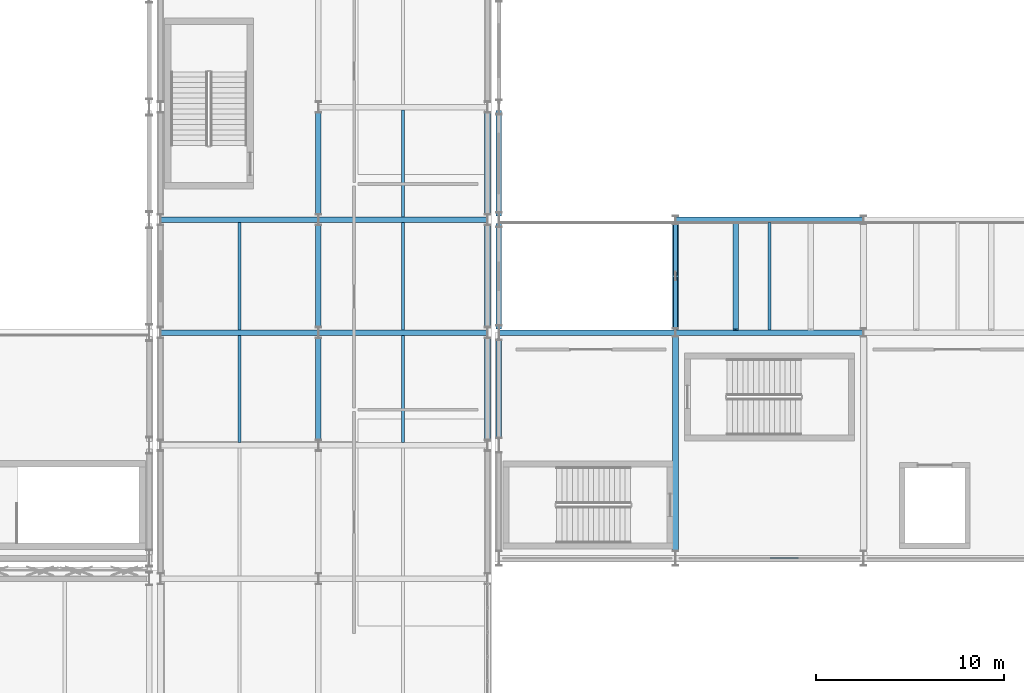
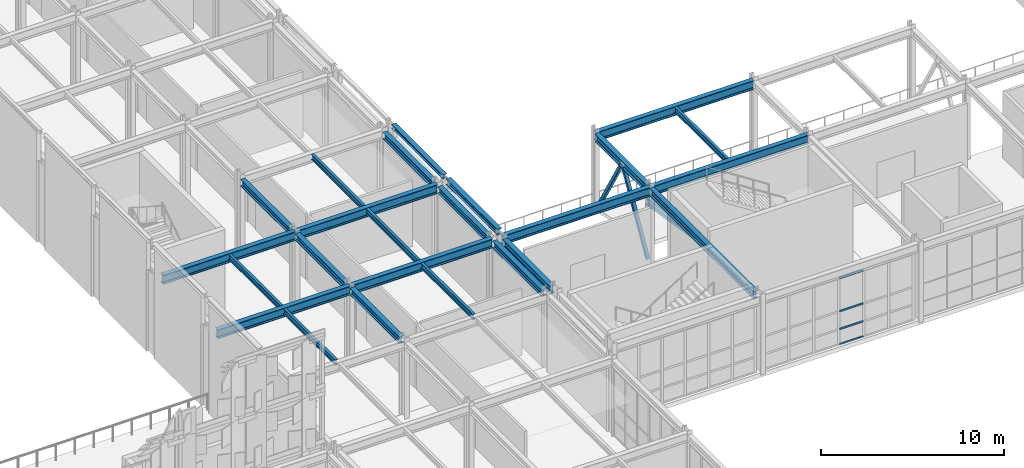
# One storey, part 111 of 210: 25 beams, 6 members, 1 element without a shape of its own.
"""IFC4 building model written with IfcOpenShell, lengths in metres."""

from ifc_helpers import new_model, si_unit, direction, frame, origin, origin_2d, place, context, subcontext, project, spatial, hollow_rectangle, i_section, extrude, material, material_profile, profile_set, type_object, element, aggregate, save


model = new_model("IFC4")

# Units and contexts
model_context = context("Model", 3, precision=1e-05, world=origin(), true_north=direction((0.0, 1.0)))
body_context = subcontext(model_context, "Body", "Model", "MODEL_VIEW")
ifc_project = project(units=[si_unit("LENGTHUNIT", "METRE"), si_unit("AREAUNIT", "SQUARE_METRE"), si_unit("VOLUMEUNIT", "CUBIC_METRE"), si_unit("PLANEANGLEUNIT", "RADIAN"), si_unit("MASSUNIT", "GRAM", prefix="KILO")], contexts=[model_context])

# Site, building, storey
site_placement = place(None, origin())
site = spatial("IfcSite", under=ifc_project, at=site_placement, CompositionType="ELEMENT")
building_placement = place(site_placement, origin())
building = spatial("IfcBuilding", under=site, at=building_placement, Name="Kaldris Quays Convention Centre", CompositionType="ELEMENT")
storey_placement = place(building_placement, frame((0.0, 0.0, 6.0)))
storey = spatial("IfcBuildingStorey", under=building, at=storey_placement, Name="L01", CompositionType="ELEMENT", Elevation=6.0)

# Curtain wall, members
ifc_material_1 = material(Name="Anodized aluminium AW-6060 and triple glazing", Category="aluminium")
curtain_wall_type = type_object("IfcCurtainWallType", Name="UNITISED CURTAIN WALL CW01", PredefinedType="NOTDEFINED", material=ifc_material_1)
curtain_wall_placement = place(storey_placement, origin())
curtain_wall = element("IfcCurtainWall", 1, at=curtain_wall_placement, inside=storey, type_object=curtain_wall_type, Name="L01 Unitised Curtain Wall CW01 23", PredefinedType="NOTDEFINED")
ifc_material_2 = material(Name="Anodized aluminium AW-6060", Category="aluminium")
ifc_material_profile_1 = material_profile(ifc_material_2, hollow_rectangle(XDim=0.06005859375, YDim=0.1201171875, WallThickness=0.00390625, at=origin_2d()), Name="RHS 120x60x4")
ifc_profile_set_1 = profile_set([ifc_material_profile_1], Name="Anodized aluminium AW-6060")
member_type_1 = type_object("IfcMemberType", Name="CURTAIN TRANSOM CWT1", PredefinedType="USERDEFINED", material=ifc_profile_set_1)
member_1_placement = place(storey_placement, frame((179.030029296875, 56.0, 0.030029296875), z_axis=(1.0, 0.0, 0.0), x_axis=(0.0, 1.0, 0.0)))
member_1 = element("IfcMember", 2, at=member_1_placement, type_object=member_type_1, Name="CW01 transom 4.1", ObjectType="TRANSOM", PredefinedType="USERDEFINED", context=body_context, shape_type="SweptSolid", body=[
    extrude(hollow_rectangle(XDim=0.06005859375, YDim=0.1201171875, WallThickness=0.00390625, at=origin_2d()), origin(), (0.0, 0.0, 1.0), 1.523193359375),
])
member_2_placement = place(storey_placement, frame((179.030029296875, 56.0, 1.050048828125), z_axis=(1.0, 0.0, 0.0), x_axis=(0.0, 1.0, 0.0)))
member_2 = element("IfcMember", 3, at=member_2_placement, type_object=member_type_1, Name="CW01 transom 4.2", ObjectType="TRANSOM", PredefinedType="USERDEFINED", context=body_context, shape_type="SweptSolid", body=[
    extrude(hollow_rectangle(XDim=0.06005859375, YDim=0.1201171875, WallThickness=0.00390625, at=origin_2d()), origin(), (0.0, 0.0, 1.0), 1.523193359375),
])
member_3_placement = place(storey_placement, frame((179.030029296875, 56.0, 2.239013671875), z_axis=(1.0, 0.0, 0.0), x_axis=(0.0, 1.0, 0.0)))
member_3 = element("IfcMember", 4, at=member_3_placement, type_object=member_type_1, Name="CW01 transom 4.3", ObjectType="TRANSOM", PredefinedType="USERDEFINED", context=body_context, shape_type="SweptSolid", body=[
    extrude(hollow_rectangle(XDim=0.06005859375, YDim=0.1201171875, WallThickness=0.00390625, at=origin_2d()), origin(), (0.0, 0.0, 1.0), 1.523193359375),
])
member_4_placement = place(storey_placement, frame((179.030029296875, 56.0, 4.447998046875), z_axis=(1.0, 0.0, 0.0), x_axis=(0.0, 1.0, 0.0)))
member_4 = element("IfcMember", 5, at=member_4_placement, type_object=member_type_1, Name="CW01 transom 4.4", ObjectType="TRANSOM", PredefinedType="USERDEFINED", context=body_context, shape_type="SweptSolid", body=[
    extrude(hollow_rectangle(XDim=0.06005859375, YDim=0.1201171875, WallThickness=0.00390625, at=origin_2d()), origin(), (0.0, 0.0, 1.0), 1.523193359375),
])
aggregate(curtain_wall, [member_1, member_2, member_3, member_4])

# Beams
ifc_material_3 = material(Name="Steel S355J2", Category="steel")
ifc_material_profile_2 = material_profile(ifc_material_3, i_section(OverallWidth=0.300048828125, OverallDepth=0.60009765625, WebThickness=0.015380859375, FlangeThickness=0.030029296875, FilletRadius=0.027099609375, at=origin_2d()), Name="HEB 600")
ifc_profile_set_2 = profile_set([ifc_material_profile_2], Name="Steel S355J2")
beam_type_1 = type_object("IfcBeamType", Name="STRUCTURAL BEAM BM05", PredefinedType="BEAM", material=ifc_profile_set_2)
beam_1_placement = place(storey_placement, frame((164.602783203125, 68.0, 4.802978515625), z_axis=(1.0, 0.0, 0.0), x_axis=(0.0, 1.0, 0.0)))
element("IfcBeam", 6, at=beam_1_placement, inside=storey, type_object=beam_type_1, Name="L01 Girder BM05 5", PredefinedType="BEAM", context=body_context, shape_type="SweptSolid", body=[
    extrude(i_section(OverallWidth=0.300048828125, OverallDepth=0.60009765625, WebThickness=0.015380859375, FlangeThickness=0.030029296875, FilletRadius=0.027099609375, at=origin_2d()), origin(), (0.0, 0.0, 1.0), 9.396240234375),
])
for number, where, z_axis, x_axis, name in (
    (7, (174.0009765625, 68.0, 4.802978515625), (1.0, 0.0, 0.0), (0.0, 1.0, 0.0), "L01 Girder BM05 6"),
    (8, (174.0009765625, 74.0, 4.804931640625), (1.0, 0.0, 0.0), (0.0, 1.0, 0.0), "L01 Girder BM05 9"),
):
    element("IfcBeam", number, at=place(storey_placement, frame(where, z_axis=z_axis, x_axis=x_axis)), inside=storey, type_object=beam_type_1, Name=name, PredefinedType="BEAM", context=body_context, shape_type="SweptSolid", body=[
        extrude(i_section(OverallWidth=0.300048828125, OverallDepth=0.60009765625, WebThickness=0.015380859375, FlangeThickness=0.030029296875, FilletRadius=0.027099609375, at=origin_2d()), origin(), (0.0, 0.0, 1.0), 9.998046875),
    ])
beam_2_placement = place(storey_placement, frame((146.601806640625, 68.0, 4.843017578125), z_axis=(1.0, 0.0, 0.0), x_axis=(0.0, 1.0, 0.0)))
element("IfcBeam", 9, at=beam_2_placement, inside=storey, type_object=beam_type_1, Name="L01 Girder BM05 30", PredefinedType="BEAM", context=body_context, shape_type="SweptSolid", body=[
    extrude(i_section(OverallWidth=0.300048828125, OverallDepth=0.60009765625, WebThickness=0.015380859375, FlangeThickness=0.030029296875, FilletRadius=0.027099609375, at=origin_2d()), origin(), (0.0, 0.0, 1.0), 8.396484375),
])
beam_3_placement = place(storey_placement, frame((155.001708984375, 68.0, 4.843017578125), z_axis=(1.0, 0.0, 0.0), x_axis=(0.0, 1.0, 0.0)))
element("IfcBeam", 10, at=beam_3_placement, inside=storey, type_object=beam_type_1, Name="L01 Girder BM05 31", PredefinedType="BEAM", context=body_context, shape_type="SweptSolid", body=[
    extrude(i_section(OverallWidth=0.300048828125, OverallDepth=0.60009765625, WebThickness=0.015380859375, FlangeThickness=0.030029296875, FilletRadius=0.027099609375, at=origin_2d()), origin(), (0.0, 0.0, 1.0), 8.99658203125),
])
beam_4_placement = place(storey_placement, frame((146.601806640625, 74.0, 4.843017578125), z_axis=(1.0, 0.0, 0.0), x_axis=(0.0, 1.0, 0.0)))
element("IfcBeam", 11, at=beam_4_placement, inside=storey, type_object=beam_type_1, Name="L01 Girder BM05 32", PredefinedType="BEAM", context=body_context, shape_type="SweptSolid", body=[
    extrude(i_section(OverallWidth=0.300048828125, OverallDepth=0.60009765625, WebThickness=0.015380859375, FlangeThickness=0.030029296875, FilletRadius=0.027099609375, at=origin_2d()), origin(), (0.0, 0.0, 1.0), 8.396484375),
])
beam_5_placement = place(storey_placement, frame((155.001708984375, 74.0, 4.843017578125), z_axis=(1.0, 0.0, 0.0), x_axis=(0.0, 1.0, 0.0)))
element("IfcBeam", 12, at=beam_5_placement, inside=storey, type_object=beam_type_1, Name="L01 Girder BM05 33", PredefinedType="BEAM", context=body_context, shape_type="SweptSolid", body=[
    extrude(i_section(OverallWidth=0.300048828125, OverallDepth=0.60009765625, WebThickness=0.015380859375, FlangeThickness=0.030029296875, FilletRadius=0.027099609375, at=origin_2d()), origin(), (0.0, 0.0, 1.0), 8.99658203125),
])
ifc_material_profile_3 = material_profile(ifc_material_3, i_section(OverallWidth=0.300048828125, OverallDepth=0.5, WebThickness=0.014404296875, FlangeThickness=0.028076171875, FilletRadius=0.027099609375, at=origin_2d()), Name="HEB 500")
ifc_profile_set_3 = profile_set([ifc_material_profile_3], Name="Steel S355J2")
beam_type_2 = type_object("IfcBeamType", Name="STRUCTURAL BEAM BM06", PredefinedType="BEAM", material=ifc_profile_set_3)
beam_6_placement = place(storey_placement, frame((164.60009765625, 62.39404296875, 4.85302734375), z_axis=(0.0, 1.0, 0.0), x_axis=(-1.0, 0.0, 0.0)))
element("IfcBeam", 13, at=beam_6_placement, inside=storey, type_object=beam_type_2, Name="L01 Girder BM06 12", PredefinedType="BEAM", context=body_context, shape_type="SweptSolid", body=[
    extrude(i_section(OverallWidth=0.300048828125, OverallDepth=0.5, WebThickness=0.014404296875, FlangeThickness=0.028076171875, FilletRadius=0.027099609375, at=origin_2d()), origin(), (0.0, 0.0, 1.0), 5.2119140625),
])
beam_7_placement = place(storey_placement, frame((174.0, 56.39404296875, 4.85302734375), z_axis=(0.0, 1.0, 0.0), x_axis=(-1.0, 0.0, 0.0)))
element("IfcBeam", 14, at=beam_7_placement, inside=storey, type_object=beam_type_2, Name="L01 Girder BM06 13", PredefinedType="BEAM", context=body_context, shape_type="SweptSolid", body=[
    extrude(i_section(OverallWidth=0.300048828125, OverallDepth=0.5, WebThickness=0.014404296875, FlangeThickness=0.028076171875, FilletRadius=0.027099609375, at=origin_2d()), origin(), (0.0, 0.0, 1.0), 11.386962890625),
])
beam_8_placement = place(storey_placement, frame((174.0, 68.218994140625, 4.85498046875), z_axis=(0.0, 1.0, 0.0), x_axis=(-1.0, 0.0, 0.0)))
element("IfcBeam", 15, at=beam_8_placement, inside=storey, type_object=beam_type_2, Name="L01 Girder BM06 14", PredefinedType="BEAM", context=body_context, shape_type="SweptSolid", body=[
    extrude(i_section(OverallWidth=0.300048828125, OverallDepth=0.5, WebThickness=0.014404296875, FlangeThickness=0.028076171875, FilletRadius=0.027099609375, at=origin_2d()), origin(), (0.0, 0.0, 1.0), 5.56201171875),
])
ifc_material_profile_4 = material_profile(ifc_material_3, i_section(OverallWidth=0.300048828125, OverallDepth=0.449951171875, WebThickness=0.013916015625, FlangeThickness=0.02587890625, FilletRadius=0.027099609375, at=origin_2d()), Name="HEB 450")
ifc_profile_set_4 = profile_set([ifc_material_profile_4], Name="Steel S355J2")
beam_type_3 = type_object("IfcBeamType", Name="STRUCTURAL BEAM BM07", PredefinedType="BEAM", material=ifc_profile_set_4)
for number, where, z_axis, x_axis, name in (
    (16, (155.0, 62.2939453125, 4.91796875), (0.0, 1.0, 0.0), (-1.0, 0.0, 0.0), "L01 Girder BM07 81"),
    (17, (155.0, 68.2939453125, 4.91796875), (0.0, 1.0, 0.0), (-1.0, 0.0, 0.0), "L01 Girder BM07 82"),
    (18, (155.0, 74.2939453125, 4.91796875), (0.0, 1.0, 0.0), (-1.0, 0.0, 0.0), "L01 Girder BM07 83"),
    (19, (164.0, 62.2939453125, 4.91796875), (0.0, 1.0, 0.0), (-1.0, 0.0, 0.0), "L01 Girder BM07 93"),
    (20, (164.0, 68.2939453125, 4.91796875), (0.0, 1.0, 0.0), (-1.0, 0.0, 0.0), "L01 Girder BM07 94"),
    (21, (164.0, 74.2939453125, 4.91796875), (0.0, 1.0, 0.0), (-1.0, 0.0, 0.0), "L01 Girder BM07 95"),
):
    element("IfcBeam", number, at=place(storey_placement, frame(where, z_axis=z_axis, x_axis=x_axis)), inside=storey, type_object=beam_type_3, Name=name, PredefinedType="BEAM", context=body_context, shape_type="SweptSolid", body=[
        extrude(i_section(OverallWidth=0.300048828125, OverallDepth=0.449951171875, WebThickness=0.013916015625, FlangeThickness=0.02587890625, FilletRadius=0.027099609375, at=origin_2d()), origin(), (0.0, 0.0, 1.0), 5.412109375),
    ])
ifc_material_profile_5 = material_profile(ifc_material_3, i_section(OverallWidth=0.169921875, OverallDepth=0.360107421875, WebThickness=0.008056640625, FlangeThickness=0.0126953125, FilletRadius=0.01806640625, at=origin_2d()), Name="IPE 360")
ifc_profile_set_5 = profile_set([ifc_material_profile_5], Name="Steel S355J2")
beam_type_4 = type_object("IfcBeamType", Name="STRUCTURAL BEAM JT03", PredefinedType="JOIST", material=ifc_profile_set_5)
for number, where, z_axis, x_axis, name in (
    (22, (179.0, 68.14404296875, 4.923095703125), (0.0, 1.0, 0.0), (-1.0, 0.0, 0.0), "L01 Secondary Joist JT03 1"),
    (23, (150.800048828125, 62.14404296875, 4.962890625), (0.0, 1.0, 0.0), (-1.0, 0.0, 0.0), "L01 Secondary Joist JT03 14"),
    (24, (159.5, 62.14404296875, 4.962890625), (0.0, 1.0, 0.0), (-1.0, 0.0, 0.0), "L01 Secondary Joist JT03 15"),
    (25, (150.800048828125, 68.14404296875, 4.962890625), (0.0, 1.0, 0.0), (-1.0, 0.0, 0.0), "L01 Secondary Joist JT03 16"),
    (26, (159.5, 68.14404296875, 4.962890625), (0.0, 1.0, 0.0), (-1.0, 0.0, 0.0), "L01 Secondary Joist JT03 17"),
    (27, (159.5, 74.14404296875, 4.962890625), (0.0, 1.0, 0.0), (-1.0, 0.0, 0.0), "L01 Secondary Joist JT03 18"),
):
    element("IfcBeam", number, at=place(storey_placement, frame(where, z_axis=z_axis, x_axis=x_axis)), inside=storey, type_object=beam_type_4, Name=name, PredefinedType="JOIST", context=body_context, shape_type="SweptSolid", body=[
        extrude(i_section(OverallWidth=0.169921875, OverallDepth=0.360107421875, WebThickness=0.008056640625, FlangeThickness=0.0126953125, FilletRadius=0.01806640625, at=origin_2d()), origin(), (0.0, 0.0, 1.0), 5.7119140625),
    ])
ifc_material_profile_6 = material_profile(ifc_material_3, i_section(OverallWidth=0.300048828125, OverallDepth=0.5, WebThickness=0.014404296875, FlangeThickness=0.028076171875, FilletRadius=0.027099609375, at=origin_2d()), Name="HEB 500")
ifc_profile_set_6 = profile_set([ifc_material_profile_6], Name="Steel S355J2")
beam_type_5 = type_object("IfcBeamType", Name="STRUCTURAL BEAM RK01", PredefinedType="BEAM", material=ifc_profile_set_6)
beam_9_placement = place(storey_placement, frame((177.199951171875, 68.159912109375, 0.449951171875), z_axis=(0.0, 0.986862166397, -0.161564428428), x_axis=(-1.0, 0.0, 0.0)))
element("IfcBeam", 28, at=beam_9_placement, inside=storey, type_object=beam_type_5, Name="L01 Plenary Middle Tier RAKER Beam 1", PredefinedType="BEAM", context=body_context, shape_type="SweptSolid", body=[
    extrude(i_section(OverallWidth=0.300048828125, OverallDepth=0.5, WebThickness=0.014404296875, FlangeThickness=0.028076171875, FilletRadius=0.027099609375, at=origin_2d()), origin(), (0.0, 0.0, 1.0), 5.755859375),
])
ifc_material_profile_7 = material_profile(ifc_material_3, i_section(OverallWidth=0.300048828125, OverallDepth=0.389892578125, WebThickness=0.010986328125, FlangeThickness=0.01904296875, FilletRadius=0.027099609375, at=origin_2d()), Name="HEA 400")
ifc_profile_set_7 = profile_set([ifc_material_profile_7], Name="Steel S355J2")
beam_type_6 = type_object("IfcBeamType", Name="STRUCTURAL BEAM SP01", PredefinedType="SPANDREL", material=ifc_profile_set_7)
beam_10_placement = place(storey_placement, frame((164.60009765625, 68.195068359375, 5.205078125), z_axis=(0.0, 1.0, 0.0), x_axis=(-1.0, 0.0, 0.0)))
element("IfcBeam", 29, at=beam_10_placement, inside=storey, type_object=beam_type_6, Name="L01 Perimeter Wall-Bearing Spandrel SP01 43", PredefinedType="SPANDREL", context=body_context, shape_type="SweptSolid", body=[
    extrude(i_section(OverallWidth=0.300048828125, OverallDepth=0.389892578125, WebThickness=0.010986328125, FlangeThickness=0.01904296875, FilletRadius=0.027099609375, at=origin_2d()), origin(), (0.0, 0.0, 1.0), 5.60986328125),
])
ifc_material_profile_8 = material_profile(ifc_material_3, i_section(OverallWidth=0.280029296875, OverallDepth=0.27001953125, WebThickness=0.008056640625, FlangeThickness=0.012939453125, FilletRadius=0.02392578125, at=origin_2d()), Name="HEA 280")
ifc_profile_set_8 = profile_set([ifc_material_profile_8], Name="Steel S355J2")
beam_type_7 = type_object("IfcBeamType", Name="STRUCTURAL BEAM SP03", PredefinedType="SPANDREL", material=ifc_profile_set_8)
beam_11_placement = place(storey_placement, frame((164.60009765625, 74.195068359375, 5.264892578125), z_axis=(0.0, 1.0, 0.0), x_axis=(-1.0, 0.0, 0.0)))
element("IfcBeam", 30, at=beam_11_placement, inside=storey, type_object=beam_type_7, Name="L01 Perimeter Wall-Bearing Spandrel SP03 45", PredefinedType="SPANDREL", context=body_context, shape_type="SweptSolid", body=[
    extrude(i_section(OverallWidth=0.280029296875, OverallDepth=0.27001953125, WebThickness=0.008056640625, FlangeThickness=0.012939453125, FilletRadius=0.02392578125, at=origin_2d()), origin(), (0.0, 0.0, 1.0), 5.60986328125),
])

# Members
ifc_material_4 = material(Name="Steel S355J2H", Category="steel")
ifc_material_profile_9 = material_profile(ifc_material_4, hollow_rectangle(XDim=0.199951171875, YDim=0.199951171875, WallThickness=0.010009765625, at=origin_2d()), Name="SHS 200x200x10")
ifc_profile_set_9 = profile_set([ifc_material_profile_9], Name="Steel S355J2H")
member_type_2 = type_object("IfcMemberType", Name="STRUCTURAL MEMBER CB02", PredefinedType="BRACE", material=ifc_profile_set_9)
for number, where, z_axis, x_axis, name in (
    (31, (174.0, 68.219970703125, 0.080078125), (0.0, 0.506522262855, 0.86222688269), (-1.0, 0.0, 0.0), "L01 V2 Concentric Brace CB02 7A"),
    (32, (174.0, 73.780029296875, 0.080078125), (0.0, -0.506522262855, 0.86222688269), (1.0, 0.0, 0.0), "L01 V2 Concentric Brace CB02 7B"),
):
    element("IfcMember", number, at=place(storey_placement, frame(where, z_axis=z_axis, x_axis=x_axis)), inside=storey, type_object=member_type_2, Name=name, PredefinedType="BRACE", context=body_context, shape_type="SweptSolid", body=[
        extrude(hollow_rectangle(XDim=0.199951171875, YDim=0.199951171875, WallThickness=0.010009765625, at=origin_2d()), origin(), (0.0, 0.0, 1.0), 5.251220703125),
    ])

save(model, "model.ifc")
